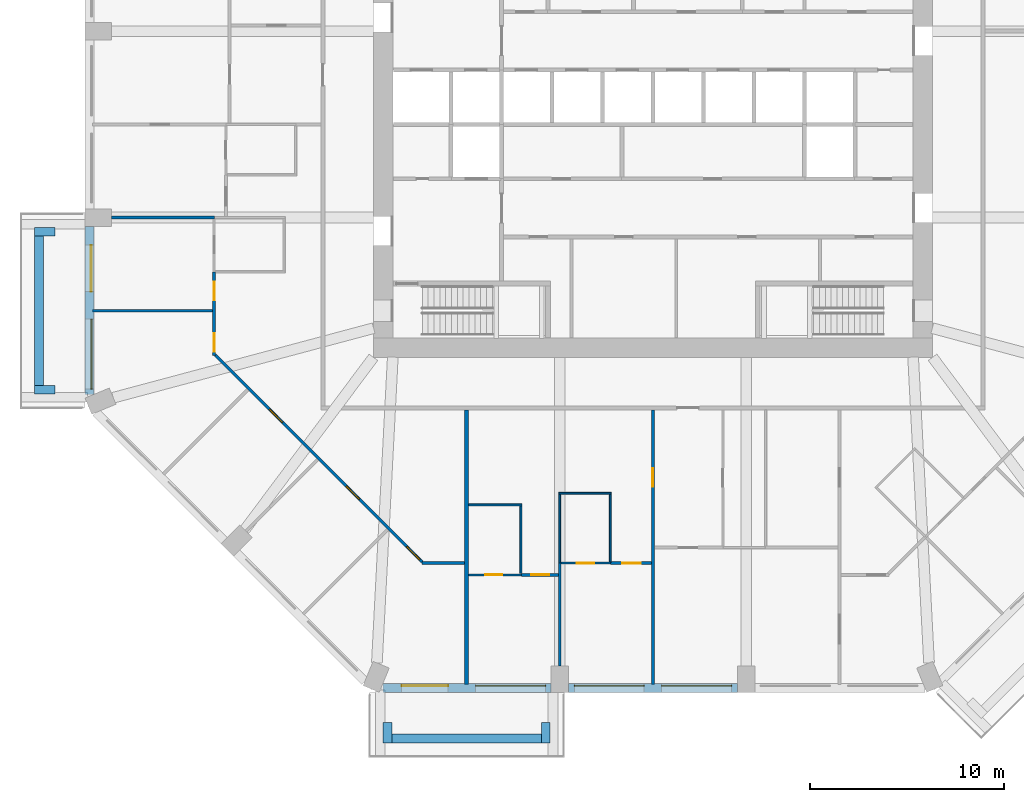
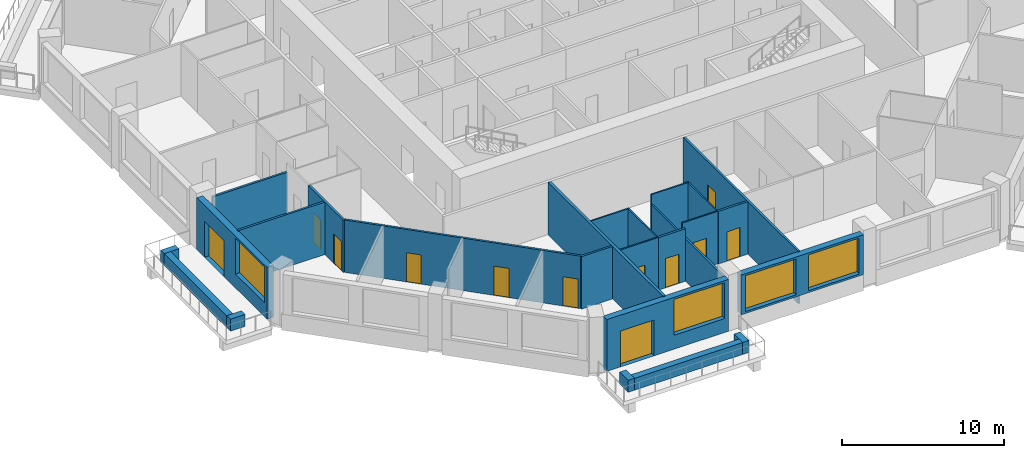
# One storey, part 3 of 13: 26 walls, 12 doors, 4 windows, 16 openings.
"""IFC4 building model written with IfcOpenShell, lengths in metres."""

from ifc_helpers import new_model, si_unit, direction, frame, frame_2d, origin, place, context, subcontext, project, spatial, rectangle, extrude, material, layer, layer_set, type_object, element, fill, save


model = new_model("IFC4")

# Units and contexts
model_context = context("Model", 3, precision=1e-05, world=origin(), true_north=direction((0.0, 1.0)))
body_context = subcontext(model_context, "Body", "Model", "MODEL_VIEW")
ifc_project = project(units=[si_unit("LENGTHUNIT", "METRE"), si_unit("AREAUNIT", "SQUARE_METRE"), si_unit("VOLUMEUNIT", "CUBIC_METRE"), si_unit("PLANEANGLEUNIT", "RADIAN"), si_unit("MASSUNIT", "GRAM", prefix="KILO")], contexts=[model_context])

# Site, building, storey
site_placement = place(None, origin())
site = spatial("IfcSite", under=ifc_project, at=site_placement, CompositionType="ELEMENT")
building_placement = place(site_placement, origin())
building = spatial("IfcBuilding", under=site, at=building_placement, Name="Msitu Wima Residences", CompositionType="ELEMENT")
storey_placement = place(building_placement, frame((0.0, 0.0, 80.10009765625)))
storey = spatial("IfcBuildingStorey", under=building, at=storey_placement, Name="L18", CompositionType="ELEMENT", Elevation=80.10009765625)

# Walls
ifc_material_1 = material(Name="Facing brick")
ifc_layer_1 = layer(ifc_material_1, 0.06494140625, Name="Facing brick")
ifc_material_2 = material(Name="Concrete C40/50", Category="concrete")
ifc_layer_2 = layer(ifc_material_2, 0.156005859375, Name="Concrete C40/50")
ifc_material_3 = material(Name="Waterproofing membrane")
ifc_layer_3 = layer(ifc_material_3, 0.00390625, Name="Waterproofing membrane")
ifc_material_4 = material(Name="Planting soil and planting")
ifc_layer_4 = layer(ifc_material_4, 0.22509765625, Name="Planting soil and planting")
ifc_layer_set_1 = layer_set([ifc_layer_1, ifc_layer_2, ifc_layer_3, ifc_layer_4], Name="Concrete C40/50")
wall_type_1 = type_object("IfcWallType", Name="Balcony planter PLANTER PL450", PredefinedType="USERDEFINED", material=ifc_layer_set_1)
wall_1_placement = place(storey_placement, frame((-31.625, -5.75, 0.0), z_axis=(0.0, 0.0, 1.0), x_axis=(0.0, -1.0, 0.0)))
element("IfcWall", 1, at=wall_1_placement, inside=storey, type_object=wall_type_1, Name="Balcony planter W2 L18", ObjectType="PLANTER", PredefinedType="USERDEFINED", context=body_context, shape_type="SweptSolid", body=[
    extrude(rectangle(XDim=7.699951171875, YDim=0.449951171875, at=frame_2d((3.85009765625, 0.0))), origin(), (0.0, 0.0, 1.0), 0.89990234375),
])
for number, where, z_axis, x_axis, name in (
    (2, (-30.800048828125, -5.52490234375, 0.0), (0.0, 0.0, 1.0), (-1.0, 0.0, 0.0), "Balcony planter W2 L18"),
    (3, (-30.800048828125, -13.675048828125, 0.0), (0.0, 0.0, 1.0), (-1.0, 0.0, 0.0), "Balcony planter W2 L18"),
):
    element("IfcWall", number, at=place(storey_placement, frame(where, z_axis=z_axis, x_axis=x_axis)), inside=storey, type_object=wall_type_1, Name=name, ObjectType="PLANTER", PredefinedType="USERDEFINED", context=body_context, shape_type="SweptSolid", body=[
        extrude(rectangle(XDim=1.050048828125, YDim=0.449951171875, at=frame_2d((0.52490234375, 0.0))), origin(), (0.0, 0.0, 1.0), 0.89990234375),
    ])
wall_2_placement = place(storey_placement, frame((-13.449951171875, -31.625, 0.0), z_axis=(0.0, 0.0, 1.0), x_axis=(1.0, 0.0, 0.0)))
element("IfcWall", 4, at=wall_2_placement, inside=storey, type_object=wall_type_1, Name="Balcony planter S0 L18", ObjectType="PLANTER", PredefinedType="USERDEFINED", context=body_context, shape_type="SweptSolid", body=[
    extrude(rectangle(XDim=7.699951171875, YDim=0.449951171875, at=frame_2d((3.85009765625, 0.0))), origin(), (0.0, 0.0, 1.0), 0.89990234375),
])
for number, where, z_axis, x_axis, name in (
    (5, (-13.675048828125, -30.800048828125, 0.0), (0.0, 0.0, 1.0), (0.0, -1.0, 0.0), "Balcony planter S0 L18"),
    (6, (-5.52490234375, -30.800048828125, 0.0), (0.0, 0.0, 1.0), (0.0, -1.0, 0.0), "Balcony planter S0 L18"),
):
    element("IfcWall", number, at=place(storey_placement, frame(where, z_axis=z_axis, x_axis=x_axis)), inside=storey, type_object=wall_type_1, Name=name, ObjectType="PLANTER", PredefinedType="USERDEFINED", context=body_context, shape_type="SweptSolid", body=[
        extrude(rectangle(XDim=1.050048828125, YDim=0.449951171875, at=frame_2d((0.52490234375, 0.0))), origin(), (0.0, 0.0, 1.0), 0.89990234375),
    ])

# Wall, openings, door, window
ifc_material_5 = material(Name="Brick (red buff mix)", Category="masonry")
ifc_layer_5 = layer(ifc_material_5, 0.449951171875)
ifc_layer_set_2 = layer_set([ifc_layer_5], Name="Brick (red buff mix)")
wall_type_2 = type_object("IfcWallType", Name="Brick infill wall BW450", PredefinedType="SOLIDWALL", material=ifc_layer_set_2)
wall_3_placement = place(storey_placement, frame((-29.02490234375, -5.25, 0.0), z_axis=(0.0, 0.0, 1.0), x_axis=(0.0, -1.0, 0.0)))
wall_3 = element("IfcWall", 7, at=wall_3_placement, inside=storey, type_object=wall_type_2, Name="Brick infill wall L18 W2", PredefinedType="SOLIDWALL", context=body_context, shape_type="SweptSolid", body=[
    extrude(rectangle(XDim=8.662841796875, YDim=0.449951171875, at=frame_2d((4.33154296875, 0.0))), origin(), (0.0, 0.0, 1.0), 3.89990234375),
])
opening_1_placement = place(wall_3_placement, frame((0.9658203125, 0.0, 0.0)))
opening_1 = element("IfcOpeningElement", 8, at=opening_1_placement, cuts=wall_3, Name="Opening D18-20.007", PredefinedType="OPENING", context=body_context, shape_type="SweptSolid", body=[
    extrude(rectangle(XDim=2.39990234375, YDim=2.699951171875, at=frame_2d((1.199951171875, 1.35009765625))), frame((0.0, 0.23486328125, 0.0), z_axis=(0.0, -1.0, 0.0), x_axis=(1.0, 0.0, 0.0)), (0.0, 0.0, 1.0), 0.469970703125),
])
opening_2_placement = place(wall_3_placement, frame((4.781494140625, 0.0, 1.050048828125)))
opening_2 = element("IfcOpeningElement", 9, at=opening_2_placement, cuts=wall_3, Name="Opening W18-20.033", PredefinedType="OPENING", context=body_context, shape_type="SweptSolid", body=[
    extrude(rectangle(XDim=3.60009765625, YDim=2.699951171875, at=frame_2d((1.800048828125, 1.35009765625))), frame((0.0, 0.23486328125, 0.0), z_axis=(0.0, -1.0, 0.0), x_axis=(1.0, 0.0, 0.0)), (0.0, 0.0, 1.0), 0.469970703125),
])
ifc_material_6 = material(Name="Anodised aluminium, bronze finish, clear low-emissivity double glazing", Category="aluminium")
door_type_1 = type_object("IfcDoorType", Name="Balcony door D2400x2700", OperationType="SLIDING_TO_LEFT", PredefinedType="DOOR", material=ifc_material_6)
door_1_placement = place(opening_1_placement, origin())
door_1 = element("IfcDoor", 10, at=door_1_placement, inside=storey, type_object=door_type_1, Name="Balcony door L18 W2", OperationType="SINGLE_SWING_LEFT", OverallHeight=2.699951171875, OverallWidth=2.39990234375, PredefinedType="DOOR", context=body_context, shape_type="SweptSolid", body=[
    extrude(rectangle(XDim=2.39990234375, YDim=2.699951171875, at=frame_2d((1.199951171875, 1.35009765625))), frame((0.0, 0.1298828125, 0.0), z_axis=(0.0, -1.0, 0.0), x_axis=(1.0, 0.0, 0.0)), (0.0, 0.0, 1.0), 0.050048828125),
])
fill(opening_1, door_1)
window_type = type_object("IfcWindowType", Name="Window W3600x2700", PartitioningType="DOUBLE_PANEL_VERTICAL", PredefinedType="WINDOW", material=ifc_material_6)
window_1_placement = place(opening_2_placement, origin())
window_1 = element("IfcWindow", 11, at=window_1_placement, inside=storey, type_object=window_type, Name="Window L18 W2.2", OverallHeight=2.699951171875, OverallWidth=3.60009765625, PartitioningType="SINGLE_PANEL", PredefinedType="WINDOW", context=body_context, shape_type="SweptSolid", body=[
    extrude(rectangle(XDim=3.60009765625, YDim=2.699951171875, at=frame_2d((1.800048828125, 1.35009765625))), frame((0.0, 0.135009765625, 0.0), z_axis=(0.0, -1.0, 0.0), x_axis=(1.0, 0.0, 0.0)), (0.0, 0.0, 1.0), 0.06005859375),
])
fill(opening_2, window_1)

wall_4_placement = place(storey_placement, frame((-13.912841796875, -29.02490234375, 0.0), z_axis=(0.0, 0.0, 1.0), x_axis=(1.0, 0.0, 0.0)))
wall_4 = element("IfcWall", 12, at=wall_4_placement, inside=storey, type_object=wall_type_2, Name="Brick infill wall L18 S0", PredefinedType="SOLIDWALL", context=body_context, shape_type="SweptSolid", body=[
    extrude(rectangle(XDim=8.662841796875, YDim=0.449951171875, at=frame_2d((4.33154296875, 0.0))), origin(), (0.0, 0.0, 1.0), 3.89990234375),
])
opening_3_placement = place(wall_4_placement, frame((0.9658203125, 0.0, 0.0)))
opening_3 = element("IfcOpeningElement", 13, at=opening_3_placement, cuts=wall_4, Name="Opening D18-20.005", PredefinedType="OPENING", context=body_context, shape_type="SweptSolid", body=[
    extrude(rectangle(XDim=2.39990234375, YDim=2.699951171875, at=frame_2d((1.199951171875, 1.35009765625))), frame((0.0, 0.23486328125, 0.0), z_axis=(0.0, -1.0, 0.0), x_axis=(1.0, 0.0, 0.0)), (0.0, 0.0, 1.0), 0.469970703125),
])
opening_4_placement = place(wall_4_placement, frame((4.781494140625, 0.0, 1.050048828125)))
opening_4 = element("IfcOpeningElement", 14, at=opening_4_placement, cuts=wall_4, Name="Opening W18-20.017", PredefinedType="OPENING", context=body_context, shape_type="SweptSolid", body=[
    extrude(rectangle(XDim=3.60009765625, YDim=2.699951171875, at=frame_2d((1.800048828125, 1.35009765625))), frame((0.0, 0.23486328125, 0.0), z_axis=(0.0, -1.0, 0.0), x_axis=(1.0, 0.0, 0.0)), (0.0, 0.0, 1.0), 0.469970703125),
])
door_2_placement = place(opening_3_placement, origin())
door_2 = element("IfcDoor", 15, at=door_2_placement, inside=storey, type_object=door_type_1, Name="Balcony door L18 S0", OperationType="SINGLE_SWING_LEFT", OverallHeight=2.699951171875, OverallWidth=2.39990234375, PredefinedType="DOOR", context=body_context, shape_type="SweptSolid", body=[
    extrude(rectangle(XDim=2.39990234375, YDim=2.699951171875, at=frame_2d((1.199951171875, 1.35009765625))), frame((0.0, 0.1298828125, 0.0), z_axis=(0.0, -1.0, 0.0), x_axis=(1.0, 0.0, 0.0)), (0.0, 0.0, 1.0), 0.050048828125),
])
fill(opening_3, door_2)
window_2_placement = place(opening_4_placement, origin())
window_2 = element("IfcWindow", 16, at=window_2_placement, inside=storey, type_object=window_type, Name="Window L18 S0.2", OverallHeight=2.699951171875, OverallWidth=3.60009765625, PartitioningType="SINGLE_PANEL", PredefinedType="WINDOW", context=body_context, shape_type="SweptSolid", body=[
    extrude(rectangle(XDim=3.60009765625, YDim=2.699951171875, at=frame_2d((1.800048828125, 1.35009765625))), frame((0.0, 0.135009765625, 0.0), z_axis=(0.0, -1.0, 0.0), x_axis=(1.0, 0.0, 0.0)), (0.0, 0.0, 1.0), 0.06005859375),
])
fill(opening_4, window_2)

# Wall, openings, windows
wall_5_placement = place(storey_placement, frame((-4.35009765625, -29.02490234375, 0.89990234375), z_axis=(0.0, 0.0, 1.0), x_axis=(1.0, 0.0, 0.0)))
wall_5 = element("IfcWall", 17, at=wall_5_placement, inside=storey, type_object=wall_type_2, Name="Brick infill wall L18 S1", PredefinedType="SOLIDWALL", context=body_context, shape_type="SweptSolid", body=[
    extrude(rectangle(XDim=8.7001953125, YDim=0.449951171875, at=frame_2d((4.35009765625, 0.0))), origin(), (0.0, 0.0, 1.0), 3.0),
])
opening_5_placement = place(wall_5_placement, frame((0.300048828125, 0.0, 0.14990234375)))
opening_5 = element("IfcOpeningElement", 18, at=opening_5_placement, cuts=wall_5, Name="Opening W18-20.018", PredefinedType="OPENING", context=body_context, shape_type="SweptSolid", body=[
    extrude(rectangle(XDim=3.60009765625, YDim=2.699951171875, at=frame_2d((1.800048828125, 1.35009765625))), frame((0.0, 0.23486328125, 0.0), z_axis=(0.0, -1.0, 0.0), x_axis=(1.0, 0.0, 0.0)), (0.0, 0.0, 1.0), 0.469970703125),
])
opening_6_placement = place(wall_5_placement, frame((4.800048828125, 0.0, 0.14990234375)))
opening_6 = element("IfcOpeningElement", 19, at=opening_6_placement, cuts=wall_5, Name="Opening W18-20.019", PredefinedType="OPENING", context=body_context, shape_type="SweptSolid", body=[
    extrude(rectangle(XDim=3.60009765625, YDim=2.699951171875, at=frame_2d((1.800048828125, 1.35009765625))), frame((0.0, 0.23486328125, 0.0), z_axis=(0.0, -1.0, 0.0), x_axis=(1.0, 0.0, 0.0)), (0.0, 0.0, 1.0), 0.469970703125),
])
window_3_placement = place(opening_5_placement, origin())
window_3 = element("IfcWindow", 20, at=window_3_placement, inside=storey, type_object=window_type, Name="Window L18 S1.1", OverallHeight=2.699951171875, OverallWidth=3.60009765625, PartitioningType="SINGLE_PANEL", PredefinedType="WINDOW", context=body_context, shape_type="SweptSolid", body=[
    extrude(rectangle(XDim=3.60009765625, YDim=2.699951171875, at=frame_2d((1.800048828125, 1.35009765625))), frame((0.0, 0.135009765625, 0.0), z_axis=(0.0, -1.0, 0.0), x_axis=(1.0, 0.0, 0.0)), (0.0, 0.0, 1.0), 0.06005859375),
])
fill(opening_5, window_3)
window_4_placement = place(opening_6_placement, origin())
window_4 = element("IfcWindow", 21, at=window_4_placement, inside=storey, type_object=window_type, Name="Window L18 S1.2", OverallHeight=2.699951171875, OverallWidth=3.60009765625, PartitioningType="SINGLE_PANEL", PredefinedType="WINDOW", context=body_context, shape_type="SweptSolid", body=[
    extrude(rectangle(XDim=3.60009765625, YDim=2.699951171875, at=frame_2d((1.800048828125, 1.35009765625))), frame((0.0, 0.135009765625, 0.0), z_axis=(0.0, -1.0, 0.0), x_axis=(1.0, 0.0, 0.0)), (0.0, 0.0, 1.0), 0.06005859375),
])
fill(opening_6, window_4)

# Walls
ifc_material_7 = material(Name="Plaster")
ifc_layer_6 = layer(ifc_material_7, 0.011962890625, Name="Plaster")
ifc_material_8 = material(Name="Concrete blockwork", Category="masonry")
ifc_layer_7 = layer(ifc_material_8, 0.1259765625, Name="Concrete blockwork")
ifc_layer_8 = layer(ifc_material_7, 0.011962890625, Name="Plaster")
ifc_layer_set_3 = layer_set([ifc_layer_6, ifc_layer_7, ifc_layer_8], Name="Concrete blockwork")
wall_type_3 = type_object("IfcWallType", Name="Partition PW150", PredefinedType="PARTITIONING", material=ifc_layer_set_3)
wall_6_placement = place(storey_placement, frame((-28.85498046875, -9.60009765625, 0.0), z_axis=(0.0, 0.0, 1.0), x_axis=(1.0, 0.0, 0.0)))
element("IfcWall", 22, at=wall_6_placement, inside=storey, type_object=wall_type_3, Name="Partition", PredefinedType="PARTITIONING", context=body_context, shape_type="SweptSolid", body=[
    extrude(rectangle(XDim=6.179931640625, YDim=0.14990234375, at=frame_2d((3.08984375, 0.0))), origin(), (0.0, 0.0, 1.0), 3.949951171875),
])
wall_7_placement = place(storey_placement, frame((-27.89990234375, -4.800048828125, 0.0), z_axis=(0.0, 0.0, 1.0), x_axis=(1.0, 0.0, 0.0)))
element("IfcWall", 23, at=wall_7_placement, inside=storey, type_object=wall_type_3, Name="Partition", PredefinedType="PARTITIONING", context=body_context, shape_type="SweptSolid", body=[
    extrude(rectangle(XDim=5.31982421875, YDim=0.14990234375, at=frame_2d((2.659912109375, 0.0))), origin(), (0.0, 0.0, 1.0), 3.25),
])

# Wall, openings, doors
wall_8_placement = place(storey_placement, frame((-22.60009765625, -11.906982421875, 0.0), z_axis=(0.0, 0.0, 1.0), x_axis=(0.0, 1.0, 0.0)))
wall_8 = element("IfcWall", 24, at=wall_8_placement, inside=storey, type_object=wall_type_3, Name="Partition", PredefinedType="PARTITIONING", context=body_context, shape_type="SweptSolid", body=[
    extrude(rectangle(XDim=4.306884765625, YDim=0.14990234375, at=frame_2d((2.1533203125, 0.0))), origin(), (0.0, 0.0, 1.0), 3.949951171875),
])
opening_7_placement = place(wall_8_placement, frame((2.85009765625, 0.0, 0.0)))
opening_7 = element("IfcOpeningElement", 25, at=opening_7_placement, cuts=wall_8, Name="Opening D18-20.060", PredefinedType="OPENING", context=body_context, shape_type="SweptSolid", body=[
    extrude(rectangle(XDim=0.949951171875, YDim=2.199951171875, at=frame_2d((0.47509765625, 1.10009765625))), frame((0.0, 0.0849609375, 0.0), z_axis=(0.0, -1.0, 0.0), x_axis=(1.0, 0.0, 0.0)), (0.0, 0.0, 1.0), 0.169921875),
])
opening_8_placement = place(wall_8_placement, frame((0.199951171875, 0.0, 0.0)))
opening_8 = element("IfcOpeningElement", 26, at=opening_8_placement, cuts=wall_8, Name="Opening D18-20.062", PredefinedType="OPENING", context=body_context, shape_type="SweptSolid", body=[
    extrude(rectangle(XDim=0.949951171875, YDim=2.199951171875, at=frame_2d((0.47509765625, 1.10009765625))), frame((0.0, 0.0849609375, 0.0), z_axis=(0.0, -1.0, 0.0), x_axis=(1.0, 0.0, 0.0)), (0.0, 0.0, 1.0), 0.169921875),
])
ifc_material_9 = material(Name="Timber flush door", Category="wood")
door_type_2 = type_object("IfcDoorType", Name="Room door D12 950x2200", OperationType="SINGLE_SWING_LEFT", PredefinedType="DOOR", material=ifc_material_9)
door_3_placement = place(opening_7_placement, origin())
door_3 = element("IfcDoor", 27, at=door_3_placement, inside=storey, type_object=door_type_2, Name="Room door", OperationType="SINGLE_SWING_LEFT", OverallHeight=2.199951171875, OverallWidth=0.949951171875, PredefinedType="DOOR", context=body_context, shape_type="SweptSolid", body=[
    extrude(rectangle(XDim=0.949951171875, YDim=2.199951171875, at=frame_2d((0.47509765625, 1.10009765625))), frame((0.0, 0.02490234375, 0.0), z_axis=(0.0, -1.0, 0.0), x_axis=(1.0, 0.0, 0.0)), (0.0, 0.0, 1.0), 0.050048828125),
])
fill(opening_7, door_3)
door_4_placement = place(opening_8_placement, origin())
door_4 = element("IfcDoor", 28, at=door_4_placement, inside=storey, type_object=door_type_2, Name="Room door", OperationType="SINGLE_SWING_RIGHT", OverallHeight=2.199951171875, OverallWidth=0.949951171875, PredefinedType="DOOR", context=body_context, shape_type="SweptSolid", body=[
    extrude(rectangle(XDim=0.949951171875, YDim=2.199951171875, at=frame_2d((0.47509765625, 1.10009765625))), frame((0.0, 0.02490234375, 0.0), z_axis=(0.0, -1.0, 0.0), x_axis=(1.0, 0.0, 0.0)), (0.0, 0.0, 1.0), 0.050048828125),
])
fill(opening_8, door_4)

wall_9_placement = place(storey_placement, frame((-22.546875, -11.885009765625, 0.0), z_axis=(0.0, 0.0, 1.0), x_axis=(0.707106781187, -0.707106781187, 0.0)))
wall_9 = element("IfcWall", 29, at=wall_9_placement, inside=storey, type_object=wall_type_3, Name="Partition", PredefinedType="PARTITIONING", context=body_context, shape_type="SweptSolid", body=[
    extrude(rectangle(XDim=15.078125, YDim=0.14990234375, at=frame_2d((7.5390625, 0.0))), origin(), (0.0, 0.0, 1.0), 3.949951171875),
])
opening_9_placement = place(wall_9_placement, frame((3.949951171875, 0.0, 0.0)))
opening_9 = element("IfcOpeningElement", 30, at=opening_9_placement, cuts=wall_9, Name="Opening D18-20.057", PredefinedType="OPENING", context=body_context, shape_type="SweptSolid", body=[
    extrude(rectangle(XDim=0.949951171875, YDim=2.199951171875, at=frame_2d((0.47509765625, 1.10009765625))), frame((0.0, 0.0849609375, 0.0), z_axis=(0.0, -1.0, 0.0), x_axis=(1.0, 0.0, 0.0)), (0.0, 0.0, 1.0), 0.169921875),
])
opening_10_placement = place(wall_9_placement, frame((9.550048828125, 0.0, 0.0)))
opening_10 = element("IfcOpeningElement", 31, at=opening_10_placement, cuts=wall_9, Name="Opening D18-20.058", PredefinedType="OPENING", context=body_context, shape_type="SweptSolid", body=[
    extrude(rectangle(XDim=0.949951171875, YDim=2.199951171875, at=frame_2d((0.47509765625, 1.10009765625))), frame((0.0, 0.0849609375, 0.0), z_axis=(0.0, -1.0, 0.0), x_axis=(1.0, 0.0, 0.0)), (0.0, 0.0, 1.0), 0.169921875),
])
opening_11_placement = place(wall_9_placement, frame((13.949951171875, 0.0, 0.0)))
opening_11 = element("IfcOpeningElement", 32, at=opening_11_placement, cuts=wall_9, Name="Opening D18-20.063", PredefinedType="OPENING", context=body_context, shape_type="SweptSolid", body=[
    extrude(rectangle(XDim=0.949951171875, YDim=2.199951171875, at=frame_2d((0.47509765625, 1.10009765625))), frame((0.0, 0.0849609375, 0.0), z_axis=(0.0, -1.0, 0.0), x_axis=(1.0, 0.0, 0.0)), (0.0, 0.0, 1.0), 0.169921875),
])
door_5_placement = place(opening_9_placement, origin())
door_5 = element("IfcDoor", 33, at=door_5_placement, inside=storey, type_object=door_type_2, Name="Room door", OperationType="SINGLE_SWING_RIGHT", OverallHeight=2.199951171875, OverallWidth=0.949951171875, PredefinedType="DOOR", context=body_context, shape_type="SweptSolid", body=[
    extrude(rectangle(XDim=0.949951171875, YDim=2.199951171875, at=frame_2d((0.47509765625, 1.10009765625))), frame((0.0, 0.02490234375, 0.0), z_axis=(0.0, -1.0, 0.0), x_axis=(1.0, 0.0, 0.0)), (0.0, 0.0, 1.0), 0.050048828125),
])
fill(opening_9, door_5)
door_6_placement = place(opening_10_placement, origin())
door_6 = element("IfcDoor", 34, at=door_6_placement, inside=storey, type_object=door_type_2, Name="Room door", OperationType="SINGLE_SWING_RIGHT", OverallHeight=2.199951171875, OverallWidth=0.949951171875, PredefinedType="DOOR", context=body_context, shape_type="SweptSolid", body=[
    extrude(rectangle(XDim=0.949951171875, YDim=2.199951171875, at=frame_2d((0.47509765625, 1.10009765625))), frame((0.0, 0.02490234375, 0.0), z_axis=(0.0, -1.0, 0.0), x_axis=(1.0, 0.0, 0.0)), (0.0, 0.0, 1.0), 0.050048828125),
])
fill(opening_10, door_6)
door_7_placement = place(opening_11_placement, origin())
door_7 = element("IfcDoor", 35, at=door_7_placement, inside=storey, type_object=door_type_2, Name="Room door", OperationType="SINGLE_SWING_RIGHT", OverallHeight=2.199951171875, OverallWidth=0.949951171875, PredefinedType="DOOR", context=body_context, shape_type="SweptSolid", body=[
    extrude(rectangle(XDim=0.949951171875, YDim=2.199951171875, at=frame_2d((0.47509765625, 1.10009765625))), frame((0.0, 0.02490234375, 0.0), z_axis=(0.0, -1.0, 0.0), x_axis=(1.0, 0.0, 0.0)), (0.0, 0.0, 1.0), 0.050048828125),
])
fill(opening_11, door_7)

# Wall
wall_10_placement = place(storey_placement, frame((-11.906982421875, -22.60009765625, 0.0), z_axis=(0.0, 0.0, 1.0), x_axis=(1.0, 0.0, 0.0)))
element("IfcWall", 36, at=wall_10_placement, inside=storey, type_object=wall_type_3, Name="Partition", PredefinedType="PARTITIONING", context=body_context, shape_type="SweptSolid", body=[
    extrude(rectangle(XDim=2.20703125, YDim=0.14990234375, at=frame_2d((1.103515625, 0.0))), origin(), (0.0, 0.0, 1.0), 3.949951171875),
])

# Wall, opening, door
wall_11_placement = place(storey_placement, frame((-6.780029296875, -23.199951171875, 0.0), z_axis=(0.0, 0.0, 1.0), x_axis=(1.0, 0.0, 0.0)))
wall_11 = element("IfcWall", 37, at=wall_11_placement, inside=storey, type_object=wall_type_3, Name="Partition", PredefinedType="PARTITIONING", context=body_context, shape_type="SweptSolid", body=[
    extrude(rectangle(XDim=1.905029296875, YDim=0.14990234375, at=frame_2d((0.95263671875, 0.0))), origin(), (0.0, 0.0, 1.0), 3.949951171875),
])
opening_12_placement = place(wall_11_placement, frame((0.5, 0.0, 0.0)))
opening_12 = element("IfcOpeningElement", 38, at=opening_12_placement, cuts=wall_11, Name="Opening D18-20.068", PredefinedType="OPENING", context=body_context, shape_type="SweptSolid", body=[
    extrude(rectangle(XDim=0.949951171875, YDim=2.199951171875, at=frame_2d((0.47509765625, 1.10009765625))), frame((0.0, 0.0849609375, 0.0), z_axis=(0.0, -1.0, 0.0), x_axis=(1.0, 0.0, 0.0)), (0.0, 0.0, 1.0), 0.169921875),
])
door_8_placement = place(opening_12_placement, origin())
door_8 = element("IfcDoor", 39, at=door_8_placement, inside=storey, type_object=door_type_2, Name="Room door", OperationType="SINGLE_SWING_LEFT", OverallHeight=2.199951171875, OverallWidth=0.949951171875, PredefinedType="DOOR", context=body_context, shape_type="SweptSolid", body=[
    extrude(rectangle(XDim=0.949951171875, YDim=2.199951171875, at=frame_2d((0.47509765625, 1.10009765625))), frame((0.0, 0.02490234375, 0.0), z_axis=(0.0, -1.0, 0.0), x_axis=(1.0, 0.0, 0.0)), (0.0, 0.0, 1.0), 0.050048828125),
])
fill(opening_12, door_8)

# Wall
wall_12_placement = place(storey_placement, frame((-4.800048828125, -27.89990234375, 0.0), z_axis=(0.0, 0.0, 1.0), x_axis=(0.0, 1.0, 0.0)))
element("IfcWall", 40, at=wall_12_placement, inside=storey, type_object=wall_type_3, Name="Partition", PredefinedType="PARTITIONING", context=body_context, shape_type="SweptSolid", body=[
    extrude(rectangle(XDim=5.31982421875, YDim=0.14990234375, at=frame_2d((2.659912109375, 0.0))), origin(), (0.0, 0.0, 1.0), 3.199951171875),
])

# Wall, opening, door
wall_13_placement = place(storey_placement, frame((-2.179931640625, -22.60009765625, 0.0), z_axis=(0.0, 0.0, 1.0), x_axis=(1.0, 0.0, 0.0)))
wall_13 = element("IfcWall", 41, at=wall_13_placement, inside=storey, type_object=wall_type_3, Name="Partition", PredefinedType="PARTITIONING", context=body_context, shape_type="SweptSolid", body=[
    extrude(rectangle(XDim=2.10498046875, YDim=0.14990234375, at=frame_2d((1.052490234375, 0.0))), origin(), (0.0, 0.0, 1.0), 3.949951171875),
])
opening_13_placement = place(wall_13_placement, frame((0.60009765625, 0.0, 0.0)))
opening_13 = element("IfcOpeningElement", 42, at=opening_13_placement, cuts=wall_13, Name="Opening D18-20.071", PredefinedType="OPENING", context=body_context, shape_type="SweptSolid", body=[
    extrude(rectangle(XDim=0.949951171875, YDim=2.199951171875, at=frame_2d((0.47509765625, 1.10009765625))), frame((0.0, 0.0849609375, 0.0), z_axis=(0.0, -1.0, 0.0), x_axis=(1.0, 0.0, 0.0)), (0.0, 0.0, 1.0), 0.169921875),
])
door_9_placement = place(opening_13_placement, origin())
door_9 = element("IfcDoor", 43, at=door_9_placement, inside=storey, type_object=door_type_2, Name="Room door", OperationType="SINGLE_SWING_LEFT", OverallHeight=2.199951171875, OverallWidth=0.949951171875, PredefinedType="DOOR", context=body_context, shape_type="SweptSolid", body=[
    extrude(rectangle(XDim=0.949951171875, YDim=2.199951171875, at=frame_2d((0.47509765625, 1.10009765625))), frame((0.0, 0.02490234375, 0.0), z_axis=(0.0, -1.0, 0.0), x_axis=(1.0, 0.0, 0.0)), (0.0, 0.0, 1.0), 0.050048828125),
])
fill(opening_13, door_9)

wall_14_placement = place(storey_placement, frame((0.0, -28.85498046875, 0.0), z_axis=(0.0, 0.0, 1.0), x_axis=(0.0, 1.0, 0.0)))
wall_14 = element("IfcWall", 44, at=wall_14_placement, inside=storey, type_object=wall_type_3, Name="Partition", PredefinedType="PARTITIONING", context=body_context, shape_type="SweptSolid", body=[
    extrude(rectangle(XDim=14.155029296875, YDim=0.14990234375, at=frame_2d((7.07763671875, 0.0))), origin(), (0.0, 0.0, 1.0), 3.949951171875),
])
opening_14_placement = place(wall_14_placement, frame((10.199951171875, 0.0, 0.0)))
opening_14 = element("IfcOpeningElement", 45, at=opening_14_placement, cuts=wall_14, Name="Opening D18-20.064", PredefinedType="OPENING", context=body_context, shape_type="SweptSolid", body=[
    extrude(rectangle(XDim=0.949951171875, YDim=2.199951171875, at=frame_2d((0.47509765625, 1.10009765625))), frame((0.0, 0.0849609375, 0.0), z_axis=(0.0, -1.0, 0.0), x_axis=(1.0, 0.0, 0.0)), (0.0, 0.0, 1.0), 0.169921875),
])
door_10_placement = place(opening_14_placement, origin())
door_10 = element("IfcDoor", 46, at=door_10_placement, inside=storey, type_object=door_type_2, Name="Room door", OperationType="SINGLE_SWING_RIGHT", OverallHeight=2.199951171875, OverallWidth=0.949951171875, PredefinedType="DOOR", context=body_context, shape_type="SweptSolid", body=[
    extrude(rectangle(XDim=0.949951171875, YDim=2.199951171875, at=frame_2d((0.47509765625, 1.10009765625))), frame((0.0, 0.02490234375, 0.0), z_axis=(0.0, -1.0, 0.0), x_axis=(1.0, 0.0, 0.0)), (0.0, 0.0, 1.0), 0.050048828125),
])
fill(opening_14, door_10)

# Wall
ifc_layer_9 = layer(ifc_material_7, 0.011962890625, Name="Plaster")
ifc_material_10 = material(Name="Dense concrete blockwork", Category="masonry")
ifc_layer_10 = layer(ifc_material_10, 0.176025390625, Name="Dense concrete blockwork")
ifc_layer_11 = layer(ifc_material_7, 0.011962890625, Name="Plaster")
ifc_layer_set_4 = layer_set([ifc_layer_9, ifc_layer_10, ifc_layer_11], Name="Dense concrete blockwork")
wall_type_4 = type_object("IfcWallType", Name="Party wall PW200", PredefinedType="PARTITIONING", material=ifc_layer_set_4)
wall_15_placement = place(storey_placement, frame((-9.60009765625, -28.85498046875, 0.0), z_axis=(0.0, 0.0, 1.0), x_axis=(0.0, 1.0, 0.0)))
element("IfcWall", 47, at=wall_15_placement, inside=storey, type_object=wall_type_4, Name="Party wall", PredefinedType="PARTITIONING", context=body_context, shape_type="SweptSolid", body=[
    extrude(rectangle(XDim=14.155029296875, YDim=0.199951171875, at=frame_2d((7.07763671875, 0.0))), origin(), (0.0, 0.0, 1.0), 3.949951171875),
])

# Wall, opening, door
ifc_material_11 = material(Name="Ceramic tiles")
ifc_layer_12 = layer(ifc_material_11, 0.008056640625, Name="Ceramic tiles")
ifc_material_12 = material(Name="Moisture-resistant board")
ifc_layer_13 = layer(ifc_material_12, 0.012451171875, Name="Moisture-resistant board")
ifc_material_13 = material(Name="Light-gauge stud framing with mineral wool")
ifc_layer_14 = layer(ifc_material_13, 0.06689453125, Name="Light-gauge stud framing with mineral wool")
ifc_layer_15 = layer(ifc_material_12, 0.012451171875, Name="Moisture-resistant board")
ifc_layer_set_5 = layer_set([ifc_layer_12, ifc_layer_13, ifc_layer_14, ifc_layer_15], Name="Light-gauge stud framing with mineral wool")
wall_type_5 = type_object("IfcWallType", Name="Wet wall PW100", PredefinedType="PARTITIONING", material=ifc_layer_set_5)
wall_16_placement = place(storey_placement, frame((-9.5, -23.199951171875, 0.0), z_axis=(0.0, 0.0, 1.0), x_axis=(1.0, 0.0, 0.0)))
wall_16 = element("IfcWall", 48, at=wall_16_placement, inside=storey, type_object=wall_type_5, Name="Wet wall", PredefinedType="PARTITIONING", context=body_context, shape_type="SweptSolid", body=[
    extrude(rectangle(XDim=2.719970703125, YDim=0.10009765625, at=frame_2d((1.35986328125, 0.0))), origin(), (0.0, 0.0, 1.0), 3.949951171875),
])
opening_15_placement = place(wall_16_placement, frame((0.85009765625, 0.0, 0.0)))
opening_15 = element("IfcOpeningElement", 49, at=opening_15_placement, cuts=wall_16, Name="Opening D18-20.069", PredefinedType="OPENING", context=body_context, shape_type="SweptSolid", body=[
    extrude(rectangle(XDim=0.89990234375, YDim=2.199951171875, at=frame_2d((0.449951171875, 1.10009765625))), frame((0.0, 0.06005859375, 0.0), z_axis=(0.0, -1.0, 0.0), x_axis=(1.0, 0.0, 0.0)), (0.0, 0.0, 1.0), 0.1201171875),
])
ifc_material_14 = material(Name="Timber flush door, moisture resistant", Category="wood")
door_type_3 = type_object("IfcDoorType", Name="Bathroom door D03 900x2200", OperationType="SINGLE_SWING_LEFT", PredefinedType="DOOR", material=ifc_material_14)
door_11_placement = place(opening_15_placement, origin())
door_11 = element("IfcDoor", 50, at=door_11_placement, inside=storey, type_object=door_type_3, Name="Bathroom door", OperationType="SINGLE_SWING_LEFT", OverallHeight=2.199951171875, OverallWidth=0.89990234375, PredefinedType="DOOR", context=body_context, shape_type="SweptSolid", body=[
    extrude(rectangle(XDim=0.89990234375, YDim=2.199951171875, at=frame_2d((0.449951171875, 1.10009765625))), frame((0.0, 0.02490234375, 0.0), z_axis=(0.0, -1.0, 0.0), x_axis=(1.0, 0.0, 0.0)), (0.0, 0.0, 1.0), 0.050048828125),
])
fill(opening_15, door_11)

# Walls
wall_17_placement = place(storey_placement, frame((-9.5, -19.60009765625, 0.0), z_axis=(0.0, 0.0, 1.0), x_axis=(1.0, 0.0, 0.0)))
element("IfcWall", 51, at=wall_17_placement, inside=storey, type_object=wall_type_5, Name="Wet wall", PredefinedType="PARTITIONING", context=body_context, shape_type="SweptSolid", body=[
    extrude(rectangle(XDim=2.75, YDim=0.10009765625, at=frame_2d((1.375, 0.0))), origin(), (0.0, 0.0, 1.0), 3.949951171875),
])
wall_18_placement = place(storey_placement, frame((-6.800048828125, -23.125, 0.0), z_axis=(0.0, 0.0, 1.0), x_axis=(0.0, 1.0, 0.0)))
element("IfcWall", 52, at=wall_18_placement, inside=storey, type_object=wall_type_5, Name="Wet wall", PredefinedType="PARTITIONING", context=body_context, shape_type="SweptSolid", body=[
    extrude(rectangle(XDim=3.47509765625, YDim=0.10009765625, at=frame_2d((1.737548828125, 0.0))), origin(), (0.0, 0.0, 1.0), 3.949951171875),
])
wall_19_placement = place(storey_placement, frame((-4.800048828125, -22.580078125, 0.0), z_axis=(0.0, 0.0, 1.0), x_axis=(0.0, 1.0, 0.0)))
element("IfcWall", 53, at=wall_19_placement, inside=storey, type_object=wall_type_5, Name="Wet wall", PredefinedType="PARTITIONING", context=body_context, shape_type="SweptSolid", body=[
    extrude(rectangle(XDim=3.530029296875, YDim=0.10009765625, at=frame_2d((1.76513671875, 0.0))), origin(), (0.0, 0.0, 1.0), 3.199951171875),
])

# Wall, opening, door
wall_20_placement = place(storey_placement, frame((-4.72509765625, -22.60009765625, 0.0), z_axis=(0.0, 0.0, 1.0), x_axis=(1.0, 0.0, 0.0)))
wall_20 = element("IfcWall", 54, at=wall_20_placement, inside=storey, type_object=wall_type_5, Name="Wet wall", PredefinedType="PARTITIONING", context=body_context, shape_type="SweptSolid", body=[
    extrude(rectangle(XDim=2.545166015625, YDim=0.10009765625, at=frame_2d((1.2724609375, 0.0))), origin(), (0.0, 0.0, 1.0), 3.949951171875),
])
opening_16_placement = place(wall_20_placement, frame((0.800048828125, 0.0, 0.0)))
opening_16 = element("IfcOpeningElement", 55, at=opening_16_placement, cuts=wall_20, Name="Opening D18-20.072", PredefinedType="OPENING", context=body_context, shape_type="SweptSolid", body=[
    extrude(rectangle(XDim=0.89990234375, YDim=2.199951171875, at=frame_2d((0.449951171875, 1.10009765625))), frame((0.0, 0.06005859375, 0.0), z_axis=(0.0, -1.0, 0.0), x_axis=(1.0, 0.0, 0.0)), (0.0, 0.0, 1.0), 0.1201171875),
])
door_12_placement = place(opening_16_placement, origin())
door_12 = element("IfcDoor", 56, at=door_12_placement, inside=storey, type_object=door_type_3, Name="Bathroom door", OperationType="SINGLE_SWING_RIGHT", OverallHeight=2.199951171875, OverallWidth=0.89990234375, PredefinedType="DOOR", context=body_context, shape_type="SweptSolid", body=[
    extrude(rectangle(XDim=0.89990234375, YDim=2.199951171875, at=frame_2d((0.449951171875, 1.10009765625))), frame((0.0, 0.02490234375, 0.0), z_axis=(0.0, -1.0, 0.0), x_axis=(1.0, 0.0, 0.0)), (0.0, 0.0, 1.0), 0.050048828125),
])
fill(opening_16, door_12)

# Walls
wall_21_placement = place(storey_placement, frame((-4.85009765625, -19.0, 0.0), z_axis=(0.0, 0.0, 1.0), x_axis=(1.0, 0.0, 0.0)))
element("IfcWall", 57, at=wall_21_placement, inside=storey, type_object=wall_type_5, Name="Wet wall", PredefinedType="PARTITIONING", context=body_context, shape_type="SweptSolid", body=[
    extrude(rectangle(XDim=2.7001953125, YDim=0.10009765625, at=frame_2d((1.35009765625, 0.0))), origin(), (0.0, 0.0, 1.0), 3.949951171875),
])
wall_22_placement = place(storey_placement, frame((-2.199951171875, -22.550048828125, 0.0), z_axis=(0.0, 0.0, 1.0), x_axis=(0.0, 1.0, 0.0)))
element("IfcWall", 58, at=wall_22_placement, inside=storey, type_object=wall_type_5, Name="Wet wall", PredefinedType="PARTITIONING", context=body_context, shape_type="SweptSolid", body=[
    extrude(rectangle(XDim=3.5, YDim=0.10009765625, at=frame_2d((1.75, 0.0))), origin(), (0.0, 0.0, 1.0), 3.949951171875),
])

save(model, "model.ifc")
